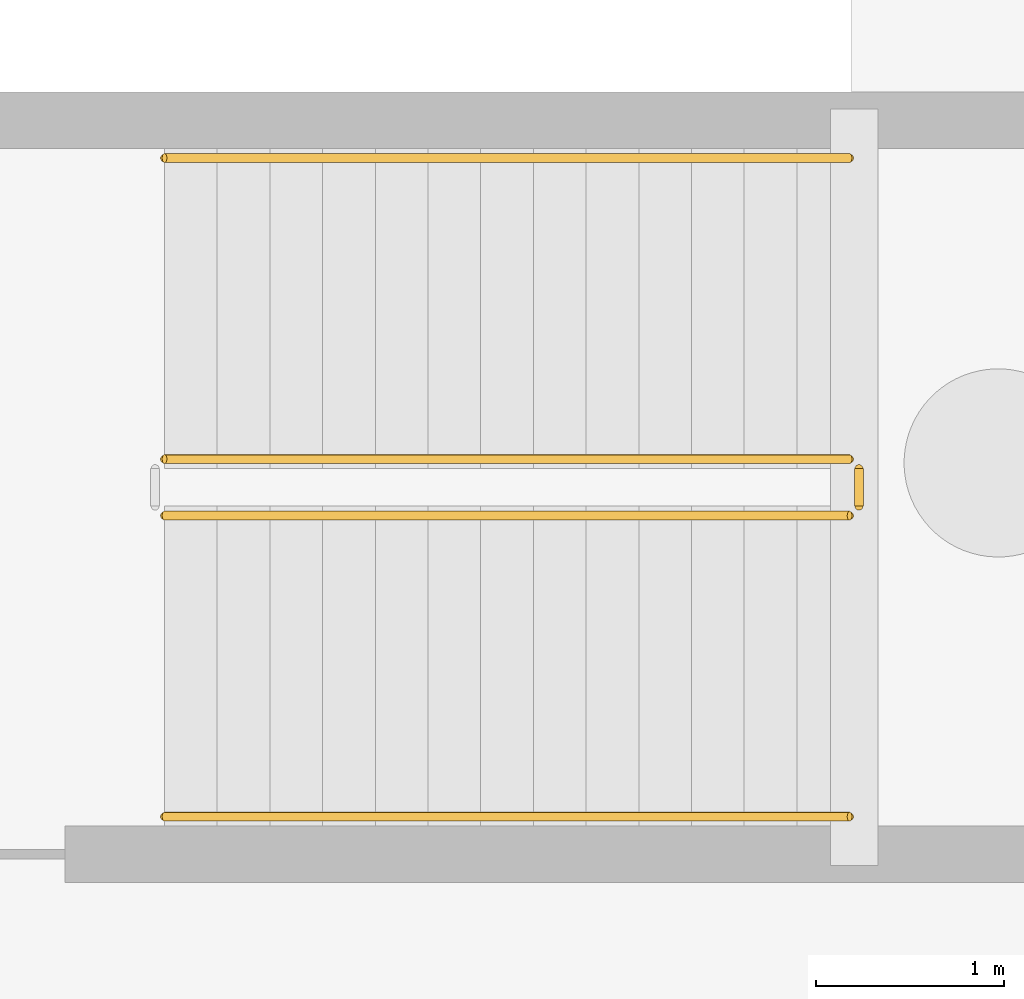
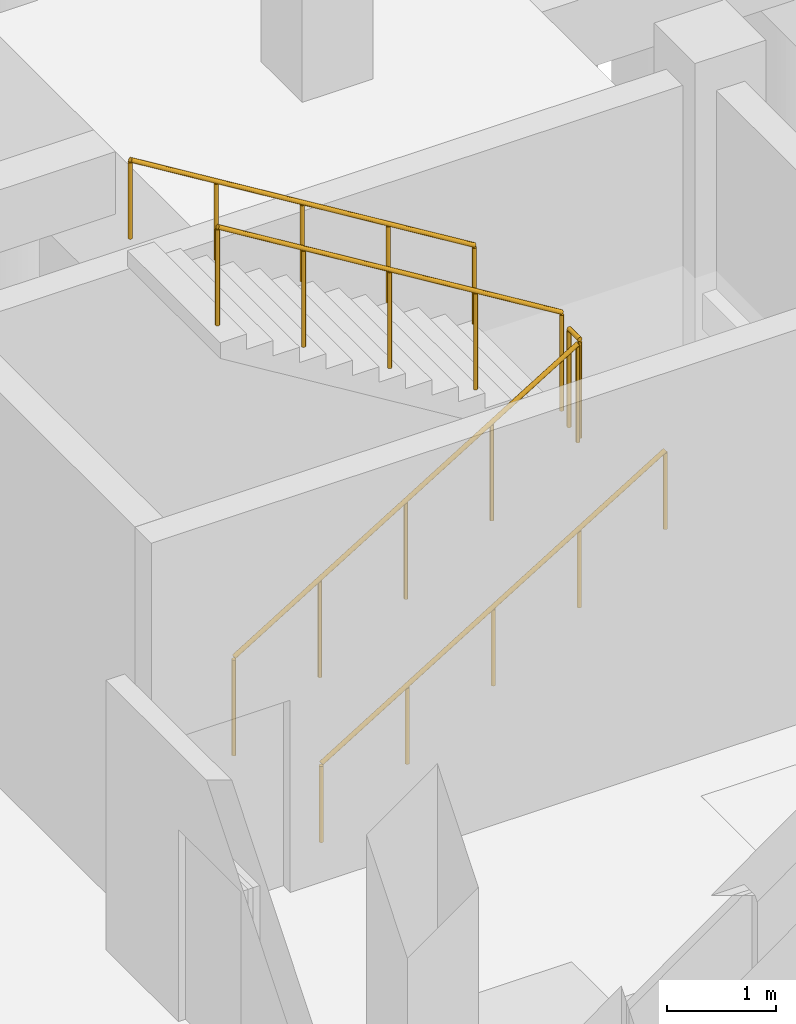
# One storey, part 34 of 35: 5 railings.
"""IFC4 building model written with IfcOpenShell, lengths in metres."""

from ifc_helpers import new_model, si_unit, direction, frame, origin, origin_2d, place, context, subcontext, project, spatial, circle, extrude, material, type_object, element, save


model = new_model("IFC4")

# Units and contexts
model_context = context("Model", 3, precision=1e-05, world=origin(), true_north=direction((0.0, 1.0)))
body_context = subcontext(model_context, "Body", "Model", "MODEL_VIEW")
ifc_project = project(units=[si_unit("LENGTHUNIT", "METRE"), si_unit("AREAUNIT", "SQUARE_METRE"), si_unit("VOLUMEUNIT", "CUBIC_METRE"), si_unit("PLANEANGLEUNIT", "RADIAN"), si_unit("MASSUNIT", "GRAM", prefix="KILO"), si_unit("THERMODYNAMICTEMPERATUREUNIT", "KELVIN"), si_unit("POWERUNIT", "WATT")], contexts=[model_context])

# Site, building, storey
site_placement = place(None, origin())
site = spatial("IfcSite", under=ifc_project, at=site_placement, CompositionType="ELEMENT")
building_placement = place(site_placement, origin())
building = spatial("IfcBuilding", under=site, at=building_placement, Name="Kaldorven Railside Theatre", CompositionType="ELEMENT")
storey_placement = place(building_placement, frame((0.0, 0.0, -4.800048828125)))
storey = spatial("IfcBuildingStorey", under=building, at=storey_placement, Name="B1", CompositionType="ELEMENT", Elevation=-4.800048828125)

# Railings
ifc_material = material(Name="Steel S355", Category="steel")
railing_type_1 = type_object("IfcRailingType", Name="RLG-STG-1100", PredefinedType="BALUSTRADE", material=ifc_material)
railing_1_placement = place(storey_placement, frame((116.949951171875, 110.699951171875, 0.17138671875)))
element("IfcRailing", 1, at=railing_1_placement, inside=storey, type_object=railing_type_1, Name="B1 ST-06 stair guard 1", PredefinedType="BALUSTRADE", context=body_context, shape_type="SweptSolid", body=[
    extrude(circle(Radius=0.02392578125, at=origin_2d()), frame((0.0, 0.0, 1.09619140625), z_axis=(0.852840387347, 0.0, 0.522171689878), x_axis=(0.0, 1.0, 0.0)), (0.0, 0.0, 1.0), 4.268310546875),
    extrude(circle(Radius=0.02099609375, at=origin_2d()), origin(), (0.0, 0.0, 1.0), 1.072021484375),
    extrude(circle(Radius=0.02099609375, at=origin_2d()), frame((0.91015625, 0.0, 0.55712890625)), (0.0, 0.0, 1.0), 1.072021484375),
    extrude(circle(Radius=0.02099609375, at=origin_2d()), frame((1.820068359375, 0.0, 1.1142578125)), (0.0, 0.0, 1.0), 1.072021484375),
    extrude(circle(Radius=0.02099609375, at=origin_2d()), frame((2.72998046875, 0.0, 1.671630859375)), (0.0, 0.0, 1.0), 1.072021484375),
    extrude(circle(Radius=0.02099609375, at=origin_2d()), frame((3.64013671875, 0.0, 2.228759765625)), (0.0, 0.0, 1.0), 1.072021484375),
])
railing_2_placement = place(storey_placement, frame((120.639892578125, 110.75, 2.400146484375)))
element("IfcRailing", 2, at=railing_2_placement, inside=storey, type_object=railing_type_1, Name="B1 ST-06 stair guard 2", PredefinedType="BALUSTRADE", context=body_context, shape_type="SweptSolid", body=[
    extrude(circle(Radius=0.02392578125, at=origin_2d()), frame((0.0, 0.0, 1.09619140625), z_axis=(0.0, 1.0, 0.0), x_axis=(-1.0, 0.0, 0.0)), (0.0, 0.0, 1.0), 0.199951171875),
    extrude(circle(Radius=0.02099609375, at=origin_2d()), origin(), (0.0, 0.0, 1.0), 1.072021484375),
    extrude(circle(Radius=0.02099609375, at=origin_2d()), frame((0.0, 0.199951171875, 0.0)), (0.0, 0.0, 1.0), 1.072021484375),
])
railing_3_placement = place(storey_placement, frame((120.590087890625, 111.0, 2.571533203125)))
element("IfcRailing", 3, at=railing_3_placement, inside=storey, type_object=railing_type_1, Name="B1 ST-06 stair guard 3", PredefinedType="BALUSTRADE", context=body_context, shape_type="SweptSolid", body=[
    extrude(circle(Radius=0.02392578125, at=origin_2d()), frame((0.0, 0.0, 1.09619140625), z_axis=(-0.852865859571, 0.0, 0.52213008492), x_axis=(0.0, -1.0, 0.0)), (0.0, 0.0, 1.0), 4.26806640625),
    extrude(circle(Radius=0.02099609375, at=origin_2d()), origin(), (0.0, 0.0, 1.0), 1.072021484375),
    extrude(circle(Radius=0.02099609375, at=origin_2d()), frame((-0.91015625, 0.0, 0.55712890625)), (0.0, 0.0, 1.0), 1.072021484375),
    extrude(circle(Radius=0.02099609375, at=origin_2d()), frame((-1.820068359375, 0.0, 1.1142578125)), (0.0, 0.0, 1.0), 1.072021484375),
    extrude(circle(Radius=0.02099609375, at=origin_2d()), frame((-2.72998046875, 0.0, 1.67138671875)), (0.0, 0.0, 1.0), 1.072021484375),
    extrude(circle(Radius=0.02099609375, at=origin_2d()), frame((-3.64013671875, 0.0, 2.228515625)), (0.0, 0.0, 1.0), 1.072021484375),
])
railing_type_2 = type_object("IfcRailingType", Name="RLG-STH-900", PredefinedType="HANDRAIL", material=ifc_material)
railing_4_placement = place(storey_placement, frame((116.949951171875, 109.10009765625, 0.17138671875)))
element("IfcRailing", 4, at=railing_4_placement, inside=storey, type_object=railing_type_2, Name="B1 ST-06 stair handrail 1", PredefinedType="HANDRAIL", context=body_context, shape_type="SweptSolid", body=[
    extrude(circle(Radius=0.02392578125, at=origin_2d()), frame((0.0, 0.0, 0.8759765625), z_axis=(0.852840387347, 0.0, 0.522171689878), x_axis=(0.0, 1.0, 0.0)), (0.0, 0.0, 1.0), 4.268310546875),
    extrude(circle(Radius=0.02099609375, at=origin_2d()), origin(), (0.0, 0.0, 1.0), 0.851806640625),
    extrude(circle(Radius=0.02099609375, at=origin_2d()), frame((0.91015625, 0.0, 0.55712890625)), (0.0, 0.0, 1.0), 0.851806640625),
    extrude(circle(Radius=0.02099609375, at=origin_2d()), frame((1.820068359375, 0.0, 1.1142578125)), (0.0, 0.0, 1.0), 0.851806640625),
    extrude(circle(Radius=0.02099609375, at=origin_2d()), frame((2.72998046875, 0.0, 1.671630859375)), (0.0, 0.0, 1.0), 0.851806640625),
    extrude(circle(Radius=0.02099609375, at=origin_2d()), frame((3.64013671875, 0.0, 2.228759765625)), (0.0, 0.0, 1.0), 0.851806640625),
])
railing_5_placement = place(storey_placement, frame((120.590087890625, 112.60009765625, 2.571533203125)))
element("IfcRailing", 5, at=railing_5_placement, inside=storey, type_object=railing_type_2, Name="B1 ST-06 stair handrail 2", PredefinedType="HANDRAIL", context=body_context, shape_type="SweptSolid", body=[
    extrude(circle(Radius=0.02392578125, at=origin_2d()), frame((0.0, 0.0, 0.8759765625), z_axis=(-0.852865859571, 0.0, 0.52213008492), x_axis=(0.0, -1.0, 0.0)), (0.0, 0.0, 1.0), 4.26806640625),
    extrude(circle(Radius=0.02099609375, at=origin_2d()), origin(), (0.0, 0.0, 1.0), 0.851806640625),
    extrude(circle(Radius=0.02099609375, at=origin_2d()), frame((-0.91015625, 0.0, 0.55712890625)), (0.0, 0.0, 1.0), 0.851806640625),
    extrude(circle(Radius=0.02099609375, at=origin_2d()), frame((-1.820068359375, 0.0, 1.1142578125)), (0.0, 0.0, 1.0), 0.851806640625),
    extrude(circle(Radius=0.02099609375, at=origin_2d()), frame((-2.72998046875, 0.0, 1.67138671875)), (0.0, 0.0, 1.0), 0.851806640625),
    extrude(circle(Radius=0.02099609375, at=origin_2d()), frame((-3.64013671875, 0.0, 2.228515625)), (0.0, 0.0, 1.0), 0.851806640625),
])

save(model, "model.ifc")
